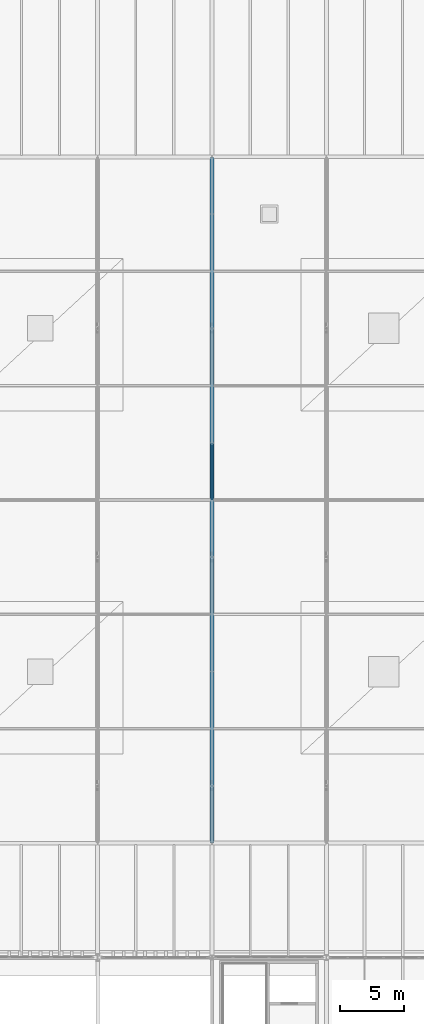
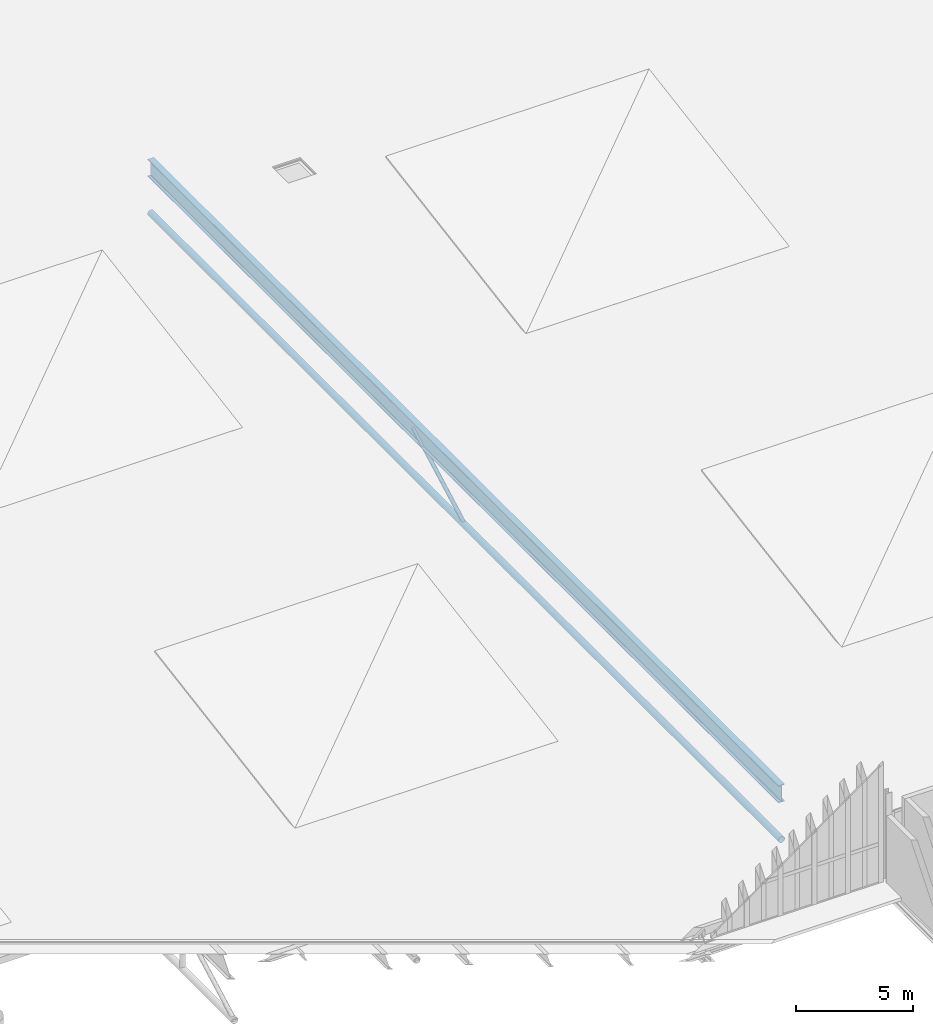
# One storey, part 63 of 196: 2 members, 1 beam.
"""IFC4 building model written with IfcOpenShell, lengths in metres."""

from ifc_helpers import new_model, si_unit, direction, frame, origin, origin_2d, place, context, subcontext, project, spatial, hollow_circle, i_section, extrude, material, material_profile, profile_set, type_object, element, save


model = new_model("IFC4")

# Units and contexts
model_context = context("Model", 3, precision=1e-05, world=origin(), true_north=direction((0.0, 1.0)))
body_context = subcontext(model_context, "Body", "Model", "MODEL_VIEW")
ifc_project = project(units=[si_unit("LENGTHUNIT", "METRE"), si_unit("AREAUNIT", "SQUARE_METRE"), si_unit("VOLUMEUNIT", "CUBIC_METRE"), si_unit("PLANEANGLEUNIT", "RADIAN"), si_unit("MASSUNIT", "GRAM", prefix="KILO")], contexts=[model_context])

# Site, building, storey
site_placement = place(None, origin())
site = spatial("IfcSite", under=ifc_project, at=site_placement, CompositionType="ELEMENT")
building_placement = place(site_placement, origin())
building = spatial("IfcBuilding", under=site, at=building_placement, Name="Barlavento Convention Centre", CompositionType="ELEMENT")
storey_placement = place(building_placement, frame((0.0, 0.0, 18.0)))
storey = spatial("IfcBuildingStorey", under=building, at=storey_placement, Name="L03", CompositionType="ELEMENT", Elevation=18.0)

# Beam
ifc_material_1 = material(Name="Steel S460", Category="steel")
ifc_material_profile_1 = material_profile(ifc_material_1, i_section(OverallWidth=0.300048828125, OverallDepth=0.89990234375, WebThickness=0.0185546875, FlangeThickness=0.034912109375, FilletRadius=0.030029296875, at=origin_2d()), Name="HEB 900")
ifc_profile_set_1 = profile_set([ifc_material_profile_1], Name="Steel S460")
beam_type = type_object("IfcBeamType", Name="STR-BM-EXH-HEB900", PredefinedType="BEAM", material=ifc_profile_set_1)
beam_placement = place(storey_placement, frame((63.0, 63.02001953125, -0.794921875), z_axis=(0.0, 1.0, 0.0), x_axis=(-1.0, 0.0, 0.0)))
element("IfcBeam", 1, at=beam_placement, inside=storey, type_object=beam_type, Name="Exhibition roof space frame top girder", PredefinedType="BEAM", context=body_context, shape_type="SweptSolid", body=[
    extrude(i_section(OverallWidth=0.300048828125, OverallDepth=0.89990234375, WebThickness=0.0185546875, FlangeThickness=0.034912109375, FilletRadius=0.030029296875, at=origin_2d()), origin(), (0.0, 0.0, 1.0), 53.9599609375),
])

# Members
ifc_material_2 = material(Name="Steel S355", Category="steel")
ifc_material_profile_2 = material_profile(ifc_material_2, hollow_circle(Radius=0.161865234375, WallThickness=0.01611328125, at=origin_2d()), Name="CHS 323.9x16.0")
ifc_profile_set_2 = profile_set([ifc_material_profile_2], Name="Steel S355")
member_type_1 = type_object("IfcMemberType", Name="STR-MEM-CHD-CHS323", PredefinedType="CHORD", material=ifc_profile_set_2)
member_1_placement = place(storey_placement, frame((63.0, 63.02001953125, -3.199951171875), z_axis=(0.0, 1.0, 0.0), x_axis=(-1.0, 0.0, 0.0)))
element("IfcMember", 2, at=member_1_placement, inside=storey, type_object=member_type_1, Name="Exhibition space frame bottom chord TC02", PredefinedType="CHORD", context=body_context, shape_type="SweptSolid", body=[
    extrude(hollow_circle(Radius=0.161865234375, WallThickness=0.01611328125, at=origin_2d()), origin(), (0.0, 0.0, 1.0), 53.9599609375),
])
ifc_material_profile_3 = material_profile(ifc_material_2, hollow_circle(Radius=0.096923828125, WallThickness=0.010009765625, at=origin_2d()), Name="CHS 193.7x10.0")
ifc_profile_set_3 = profile_set([ifc_material_profile_3], Name="Steel S355")
member_type_2 = type_object("IfcMemberType", Name="STR-MEM-DIAG-CHS193", PredefinedType="RAFTER", material=ifc_profile_set_3)
member_2_placement = place(storey_placement, frame((63.0, 90.050048828125, -3.199951171875), z_axis=(0.0, 0.879735433057, 0.475463529437), x_axis=(-1.0, 0.0, 0.0)))
element("IfcMember", 3, at=member_2_placement, inside=storey, type_object=member_type_2, Name="Exhibition space frame web diagonal", PredefinedType="RAFTER", context=body_context, shape_type="SweptSolid", body=[
    extrude(hollow_circle(Radius=0.096923828125, WallThickness=0.010009765625, at=origin_2d()), origin(), (0.0, 0.0, 1.0), 5.058349609375),
])

save(model, "model.ifc")
